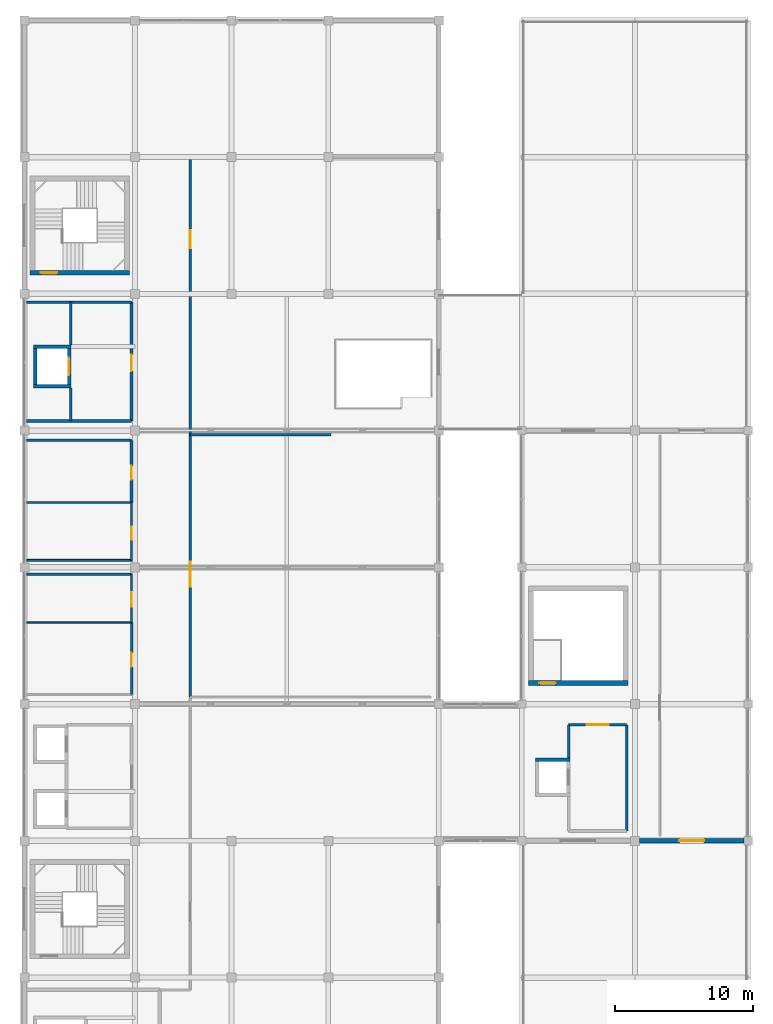
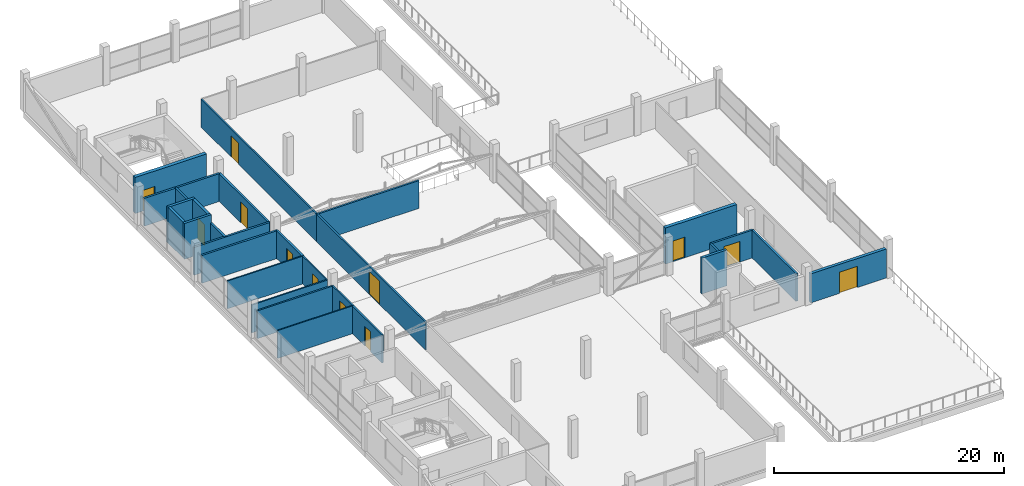
# One storey, part 46 of 53: 28 walls, 12 doors, 12 openings.
"""IFC4 building model written with IfcOpenShell, lengths in metres."""

from ifc_helpers import new_model, si_unit, direction, frame, frame_2d, origin, place, context, subcontext, project, spatial, rectangle, extrude, material, layer, layer_set, type_object, element, fill, save


model = new_model("IFC4")

# Units and contexts
model_context = context("Model", 3, precision=1e-05, world=origin(), true_north=direction((0.0, 1.0)))
body_context = subcontext(model_context, "Body", "Model", "MODEL_VIEW")
ifc_project = project(units=[si_unit("LENGTHUNIT", "METRE"), si_unit("AREAUNIT", "SQUARE_METRE"), si_unit("VOLUMEUNIT", "CUBIC_METRE"), si_unit("PLANEANGLEUNIT", "RADIAN"), si_unit("MASSUNIT", "GRAM", prefix="KILO")], contexts=[model_context])

# Site, building, storey
site_placement = place(None, origin())
site = spatial("IfcSite", under=ifc_project, at=site_placement, CompositionType="ELEMENT")
building_placement = place(site_placement, origin())
building = spatial("IfcBuilding", under=site, at=building_placement, Name="Sillaruma Civic Art Gallery", CompositionType="ELEMENT")
storey_placement = place(building_placement, frame((0.0, 0.0, 70.3798828125)))
storey = spatial("IfcBuildingStorey", under=building, at=storey_placement, Name="L14", CompositionType="ELEMENT", Elevation=70.3798828125)

# Wall, opening, door
ifc_material_1 = material(Name="Concrete H40 (40 MPa)", Category="concrete")
ifc_layer_1 = layer(ifc_material_1, 0.35009765625, Name="Concrete H40 (40 MPa)")
ifc_layer_set_1 = layer_set([ifc_layer_1], Name="Concrete H40 (40 MPa)")
wall_type_1 = type_object("IfcWallType", Name="WAL-CORE-350", PredefinedType="SHEAR", material=ifc_layer_set_1)
wall_1_placement = place(storey_placement, frame((62.409912109375, 80.735107421875, 0.0), z_axis=(0.0, 0.0, 1.0), x_axis=(1.0, 0.0, 0.0)))
wall_1 = element("IfcWall", 1, at=wall_1_placement, inside=storey, type_object=wall_type_1, Name="Stair Core Shear Wall W-CORE-350 (ST-02:L14:S)", PredefinedType="SHEAR", context=body_context, shape_type="SweptSolid", body=[
    extrude(rectangle(XDim=7.18017578125, YDim=0.35009765625, at=frame_2d((3.590087890625, 0.0))), origin(), (0.0, 0.0, 1.0), 3.830078125),
])
opening_1_placement = place(wall_1_placement, frame((0.77001953125, 0.0, 0.0)))
opening_1 = element("IfcOpeningElement", 2, at=opening_1_placement, cuts=wall_1, Name="Opening D-STAIR", PredefinedType="OPENING", context=body_context, shape_type="SweptSolid", body=[
    extrude(rectangle(XDim=1.199951171875, YDim=2.199951171875, at=frame_2d((0.60009765625, 1.10009765625))), frame((0.0, 0.18505859375, 0.0), z_axis=(0.0, -1.0, 0.0), x_axis=(1.0, 0.0, 0.0)), (0.0, 0.0, 1.0), 0.3701171875),
])
ifc_material_2 = material(Name="Galvanised Steel ASTM A653 Gr.50", Category="steel")
door_type_1 = type_object("IfcDoorType", Name="DOR-STAIR-120", OperationType="NOTDEFINED", PredefinedType="DOOR", material=ifc_material_2)
door_1_placement = place(opening_1_placement, origin())
door_1 = element("IfcDoor", 3, at=door_1_placement, inside=storey, type_object=door_type_1, Name="Protected Stair Fire Door (ST-02:L14)", OperationType="SINGLE_SWING_RIGHT", OverallHeight=2.199951171875, OverallWidth=1.199951171875, PredefinedType="DOOR", context=body_context, shape_type="SweptSolid", body=[
    extrude(rectangle(XDim=1.199951171875, YDim=2.199951171875, at=frame_2d((0.60009765625, 1.10009765625))), frame((0.0, 0.02490234375, 0.0), z_axis=(0.0, -1.0, 0.0), x_axis=(1.0, 0.0, 0.0)), (0.0, 0.0, 1.0), 0.050048828125),
])
fill(opening_1, door_1)

wall_2_placement = place(storey_placement, frame((98.510009765625, 51.034912109375, 0.0), z_axis=(0.0, 0.0, 1.0), x_axis=(1.0, 0.0, 0.0)))
wall_2 = element("IfcWall", 4, at=wall_2_placement, inside=storey, type_object=wall_type_1, Name="Stair Core Shear Wall W-CORE-350 (ST-04:L14:S)", PredefinedType="SHEAR", context=body_context, shape_type="SweptSolid", body=[
    extrude(rectangle(XDim=7.179931640625, YDim=0.35009765625, at=frame_2d((3.58984375, 0.0))), origin(), (0.0, 0.0, 1.0), 3.830078125),
])
opening_2_placement = place(wall_2_placement, frame((0.77001953125, 0.0, 0.0)))
opening_2 = element("IfcOpeningElement", 5, at=opening_2_placement, cuts=wall_2, Name="Opening D-STAIR", PredefinedType="OPENING", context=body_context, shape_type="SweptSolid", body=[
    extrude(rectangle(XDim=1.199951171875, YDim=2.199951171875, at=frame_2d((0.60009765625, 1.10009765625))), frame((0.0, 0.18505859375, 0.0), z_axis=(0.0, -1.0, 0.0), x_axis=(1.0, 0.0, 0.0)), (0.0, 0.0, 1.0), 0.3701171875),
])
door_2_placement = place(opening_2_placement, origin())
door_2 = element("IfcDoor", 6, at=door_2_placement, inside=storey, type_object=door_type_1, Name="Protected Stair Fire Door (ST-04:L14)", OperationType="SINGLE_SWING_RIGHT", OverallHeight=2.199951171875, OverallWidth=1.199951171875, PredefinedType="DOOR", context=body_context, shape_type="SweptSolid", body=[
    extrude(rectangle(XDim=1.199951171875, YDim=2.199951171875, at=frame_2d((0.60009765625, 1.10009765625))), frame((0.0, 0.02490234375, 0.0), z_axis=(0.0, -1.0, 0.0), x_axis=(1.0, 0.0, 0.0)), (0.0, 0.0, 1.0), 0.050048828125),
])
fill(opening_2, door_2)

ifc_material_3 = material(Name="Precast Concrete H35 (35 MPa)", Category="concrete")
ifc_layer_2 = layer(ifc_material_3, 0.179931640625, Name="Precast backup", Category="concrete")
ifc_material_4 = material(Name="Mineral Wool Thermal Insulation", Category="insulation")
ifc_layer_3 = layer(ifc_material_4, 0.090087890625, Name="Thermal insulation", Category="insulation")
ifc_material_5 = material(Name="Comanche Granitic Ashlar Stone", Category="masonry")
ifc_layer_4 = layer(ifc_material_5, 0.030029296875, Name="Rainscreen cladding", Category="masonry")
ifc_layer_set_2 = layer_set([ifc_layer_2, ifc_layer_3, ifc_layer_4], Name="W-EXT-300")
wall_type_2 = type_object("IfcWallType", Name="WAL-EXT-300", PredefinedType="SOLIDWALL", material=ifc_layer_set_2)
wall_3_placement = place(storey_placement, frame((106.52490234375, 39.60009765625, 0.0), z_axis=(0.0, 0.0, 1.0), x_axis=(1.0, 0.0, 0.0)))
wall_3 = element("IfcWall", 7, at=wall_3_placement, inside=storey, type_object=wall_type_2, Name="Exterior Wall W-EXT-300 (EW-L14-EHH-S2)", PredefinedType="SOLIDWALL", context=body_context, shape_type="SweptSolid", body=[
    extrude(rectangle(XDim=7.5751953125, YDim=0.300048828125, at=frame_2d((3.78759765625, 0.0))), origin(), (0.0, 0.0, 1.0), 3.080078125),
])
opening_3_placement = place(wall_3_placement, frame((2.887939453125, 0.0, 0.0)))
opening_3 = element("IfcOpeningElement", 8, at=opening_3_placement, cuts=wall_3, Name="Opening D-TER1", PredefinedType="OPENING", context=body_context, shape_type="SweptSolid", body=[
    extrude(rectangle(XDim=1.800048828125, YDim=2.25, at=frame_2d((0.89990234375, 1.125))), frame((0.0, 0.159912109375, 0.0), z_axis=(0.0, -1.0, 0.0), x_axis=(1.0, 0.0, 0.0)), (0.0, 0.0, 1.0), 0.320068359375),
])
ifc_material_6 = material(Name="Thermally Broken Extruded Aluminium 6063-T6", Category="aluminium")
door_type_2 = type_object("IfcDoorType", Name="DOR-TER-180", OperationType="NOTDEFINED", PredefinedType="DOOR", material=ifc_material_6)
door_3_placement = place(opening_3_placement, frame((1.800048828125, 0.0, 0.0), z_axis=(0.0, 0.0, 1.0), x_axis=(-1.0, 0.0, 0.0)))
door_3 = element("IfcDoor", 9, at=door_3_placement, inside=storey, type_object=door_type_2, Name="L14 East Bar South Sculpture Terrace Door", OperationType="DOUBLE_DOOR_SINGLE_SWING", OverallHeight=2.25, OverallWidth=1.800048828125, PredefinedType="DOOR", context=body_context, shape_type="SweptSolid", body=[
    extrude(rectangle(XDim=1.800048828125, YDim=2.25, at=frame_2d((0.89990234375, 1.125))), frame((0.0, 0.02490234375, 0.0), z_axis=(0.0, -1.0, 0.0), x_axis=(1.0, 0.0, 0.0)), (0.0, 0.0, 1.0), 0.050048828125),
])
fill(opening_3, door_3)

# Walls
ifc_material_7 = material(Name="Concrete Masonry Unit Grade M15", Category="masonry")
ifc_layer_5 = layer(ifc_material_7, 0.199951171875, Name="Concrete Masonry Unit Grade M15")
ifc_layer_set_3 = layer_set([ifc_layer_5], Name="Concrete Masonry Unit Grade M15")
wall_type_3 = type_object("IfcWallType", Name="WAL-LOBBY-200", PredefinedType="SOLIDWALL", material=ifc_layer_set_3)
for number, where, z_axis, x_axis, name in (
    (10, (62.14990234375, 70.0, 0.0), (0.0, 0.0, 1.0), (1.0, 0.0, 0.0), "Interior Wall W-LOBBY-200 (L14-FFL)"),
    (11, (62.14990234375, 78.60009765625, 0.0), (0.0, 0.0, 1.0), (1.0, 0.0, 0.0), "Interior Wall W-LOBBY-200 (L14-FFL)"),
):
    element("IfcWall", number, at=place(storey_placement, frame(where, z_axis=z_axis, x_axis=x_axis)), inside=storey, type_object=wall_type_3, Name=name, PredefinedType="SOLIDWALL", context=body_context, shape_type="SweptSolid", body=[
        extrude(rectangle(XDim=7.60009765625, YDim=0.199951171875, at=frame_2d((3.800048828125, 0.0))), origin(), (0.0, 0.0, 1.0), 2.9501953125),
    ])
wall_4_placement = place(storey_placement, frame((65.35009765625, 70.0, 0.0), z_axis=(0.0, 0.0, 1.0), x_axis=(0.0, 1.0, 0.0)))
element("IfcWall", 12, at=wall_4_placement, inside=storey, type_object=wall_type_3, Name="Interior Wall W-LOBBY-200 (L14-FFL)", PredefinedType="SOLIDWALL", context=body_context, shape_type="SweptSolid", body=[
    extrude(rectangle(XDim=2.39990234375, YDim=0.199951171875, at=frame_2d((1.199951171875, 0.0))), origin(), (0.0, 0.0, 1.0), 2.9501953125),
])
wall_5_placement = place(storey_placement, frame((65.35009765625, 75.5, 0.0), z_axis=(0.0, 0.0, 1.0), x_axis=(0.0, 1.0, 0.0)))
element("IfcWall", 13, at=wall_5_placement, inside=storey, type_object=wall_type_3, Name="Interior Wall W-LOBBY-200 (L14-FFL)", PredefinedType="SOLIDWALL", context=body_context, shape_type="SweptSolid", body=[
    extrude(rectangle(XDim=3.10009765625, YDim=0.199951171875, at=frame_2d((1.550048828125, 0.0))), origin(), (0.0, 0.0, 1.0), 2.9501953125),
])

# Wall, opening, door
wall_6_placement = place(storey_placement, frame((69.75, 70.0, 0.0), z_axis=(0.0, 0.0, 1.0), x_axis=(0.0, 1.0, 0.0)))
wall_6 = element("IfcWall", 14, at=wall_6_placement, inside=storey, type_object=wall_type_3, Name="Interior Wall W-LOBBY-200 (L14-FFL)", PredefinedType="SOLIDWALL", context=body_context, shape_type="SweptSolid", body=[
    extrude(rectangle(XDim=8.60009765625, YDim=0.199951171875, at=frame_2d((4.300048828125, 0.0))), origin(), (0.0, 0.0, 1.0), 2.9501953125),
])
opening_4_placement = place(wall_6_placement, frame((3.60009765625, 0.0, 0.0)))
opening_4 = element("IfcOpeningElement", 15, at=opening_4_placement, cuts=wall_6, Name="Opening D-FFL", PredefinedType="OPENING", context=body_context, shape_type="SweptSolid", body=[
    extrude(rectangle(XDim=1.199951171875, YDim=2.25, at=frame_2d((0.60009765625, 1.125))), frame((0.0, 0.10986328125, 0.0), z_axis=(0.0, -1.0, 0.0), x_axis=(1.0, 0.0, 0.0)), (0.0, 0.0, 1.0), 0.219970703125),
])
door_type_3 = type_object("IfcDoorType", Name="DOR-FFL-120", OperationType="NOTDEFINED", PredefinedType="DOOR", material=ifc_material_2)
door_4_placement = place(opening_4_placement, origin())
door_4 = element("IfcDoor", 16, at=door_4_placement, inside=storey, type_object=door_type_3, Name="Firefighting Lobby Door (D-FFL)", OperationType="SINGLE_SWING_RIGHT", OverallHeight=2.25, OverallWidth=1.199951171875, PredefinedType="DOOR", context=body_context, shape_type="SweptSolid", body=[
    extrude(rectangle(XDim=1.199951171875, YDim=2.25, at=frame_2d((0.60009765625, 1.125))), frame((0.0, 0.02490234375, 0.0), z_axis=(0.0, -1.0, 0.0), x_axis=(1.0, 0.0, 0.0)), (0.0, 0.0, 1.0), 0.050048828125),
])
fill(opening_4, door_4)

# Wall
wall_7_placement = place(storey_placement, frame((62.14990234375, 68.60009765625, 0.0), z_axis=(0.0, 0.0, 1.0), x_axis=(1.0, 0.0, 0.0)))
element("IfcWall", 17, at=wall_7_placement, inside=storey, type_object=wall_type_3, Name="Interior Wall W-LOBBY-200 (L14-RSR)", PredefinedType="SOLIDWALL", context=body_context, shape_type="SweptSolid", body=[
    extrude(rectangle(XDim=7.60009765625, YDim=0.199951171875, at=frame_2d((3.800048828125, 0.0))), origin(), (0.0, 0.0, 1.0), 2.9501953125),
])

# Wall, opening, door
wall_8_placement = place(storey_placement, frame((69.75, 64.10009765625, 0.0), z_axis=(0.0, 0.0, 1.0), x_axis=(0.0, 1.0, 0.0)))
wall_8 = element("IfcWall", 18, at=wall_8_placement, inside=storey, type_object=wall_type_3, Name="Interior Wall W-LOBBY-200 (L14-RSR)", PredefinedType="SOLIDWALL", context=body_context, shape_type="SweptSolid", body=[
    extrude(rectangle(XDim=4.5, YDim=0.199951171875, at=frame_2d((2.25, 0.0))), origin(), (0.0, 0.0, 1.0), 2.9501953125),
])
opening_5_placement = place(wall_8_placement, frame((1.64990234375, 0.0, 0.0)))
opening_5 = element("IfcOpeningElement", 19, at=opening_5_placement, cuts=wall_8, Name="Opening D-RISER", PredefinedType="OPENING", context=body_context, shape_type="SweptSolid", body=[
    extrude(rectangle(XDim=1.0, YDim=2.14990234375, at=frame_2d((0.5, 1.074951171875))), frame((0.0, 0.10986328125, 0.0), z_axis=(0.0, -1.0, 0.0), x_axis=(1.0, 0.0, 0.0)), (0.0, 0.0, 1.0), 0.219970703125),
])
door_type_4 = type_object("IfcDoorType", Name="DOR-RISER-100", OperationType="NOTDEFINED", PredefinedType="DOOR", material=ifc_material_2)
door_5_placement = place(opening_5_placement, origin())
door_5 = element("IfcDoor", 20, at=door_5_placement, inside=storey, type_object=door_type_4, Name="MEP Service Riser Door (D-RISER)", OperationType="SINGLE_SWING_RIGHT", OverallHeight=2.14990234375, OverallWidth=1.0, PredefinedType="DOOR", context=body_context, shape_type="SweptSolid", body=[
    extrude(rectangle(XDim=1.0, YDim=2.14990234375, at=frame_2d((0.5, 1.074951171875))), frame((0.0, 0.02490234375, 0.0), z_axis=(0.0, -1.0, 0.0), x_axis=(1.0, 0.0, 0.0)), (0.0, 0.0, 1.0), 0.050048828125),
])
fill(opening_5, door_5)

# Walls
wall_9_placement = place(storey_placement, frame((101.39990234375, 45.60009765625, 0.0), z_axis=(0.0, 0.0, 1.0), x_axis=(0.0, 1.0, 0.0)))
element("IfcWall", 21, at=wall_9_placement, inside=storey, type_object=wall_type_3, Name="Interior Wall W-LOBBY-200 (L14-LLE)", PredefinedType="SOLIDWALL", context=body_context, shape_type="SweptSolid", body=[
    extrude(rectangle(XDim=2.39990234375, YDim=0.199951171875, at=frame_2d((1.199951171875, 0.0))), origin(), (0.0, 0.0, 1.0), 2.9501953125),
])
wall_10_placement = place(storey_placement, frame((105.60009765625, 40.300048828125, 0.0), z_axis=(0.0, 0.0, 1.0), x_axis=(0.0, 1.0, 0.0)))
element("IfcWall", 22, at=wall_10_placement, inside=storey, type_object=wall_type_3, Name="Interior Wall W-LOBBY-200 (L14-LLE)", PredefinedType="SOLIDWALL", context=body_context, shape_type="SweptSolid", body=[
    extrude(rectangle(XDim=7.699951171875, YDim=0.199951171875, at=frame_2d((3.85009765625, 0.0))), origin(), (0.0, 0.0, 1.0), 2.9501953125),
])

# Wall, opening, door
wall_11_placement = place(storey_placement, frame((101.39990234375, 48.0, 0.0), z_axis=(0.0, 0.0, 1.0), x_axis=(1.0, 0.0, 0.0)))
wall_11 = element("IfcWall", 23, at=wall_11_placement, inside=storey, type_object=wall_type_3, Name="Interior Wall W-LOBBY-200 (L14-LLE)", PredefinedType="SOLIDWALL", context=body_context, shape_type="SweptSolid", body=[
    extrude(rectangle(XDim=4.2001953125, YDim=0.199951171875, at=frame_2d((2.10009765625, 0.0))), origin(), (0.0, 0.0, 1.0), 2.9501953125),
])
opening_6_placement = place(wall_11_placement, frame((1.300048828125, 0.0, 0.0)))
opening_6 = element("IfcOpeningElement", 24, at=opening_6_placement, cuts=wall_11, Name="Opening D-LOBBY", PredefinedType="OPENING", context=body_context, shape_type="SweptSolid", body=[
    extrude(rectangle(XDim=1.60009765625, YDim=2.199951171875, at=frame_2d((0.800048828125, 1.10009765625))), frame((0.0, 0.10986328125, 0.0), z_axis=(0.0, -1.0, 0.0), x_axis=(1.0, 0.0, 0.0)), (0.0, 0.0, 1.0), 0.219970703125),
])
door_type_5 = type_object("IfcDoorType", Name="DOR-LOBBY-160", OperationType="NOTDEFINED", PredefinedType="DOOR", material=ifc_material_6)
door_6_placement = place(opening_6_placement, origin())
door_6 = element("IfcDoor", 25, at=door_6_placement, inside=storey, type_object=door_type_5, Name="East Lift Lobby Door (D-LOBBY)", OperationType="DOUBLE_DOOR_SINGLE_SWING", OverallHeight=2.199951171875, OverallWidth=1.60009765625, PredefinedType="DOOR", context=body_context, shape_type="SweptSolid", body=[
    extrude(rectangle(XDim=1.60009765625, YDim=2.199951171875, at=frame_2d((0.800048828125, 1.10009765625))), frame((0.0, 0.02490234375, 0.0), z_axis=(0.0, -1.0, 0.0), x_axis=(1.0, 0.0, 0.0)), (0.0, 0.0, 1.0), 0.050048828125),
])
fill(opening_6, door_6)

# Wall
ifc_material_8 = material(Name="Gypsum Acoustic Board", Category="gypsum")
ifc_layer_6 = layer(ifc_material_8, 0.02490234375, Name="Finish board", Category="gypsum")
ifc_layer_7 = layer(ifc_material_4, 0.06005859375, Name="Acoustic core", Category="insulation")
ifc_material_9 = material(Name="Andean Oak Timber", Category="wood")
ifc_layer_8 = layer(ifc_material_9, 0.02490234375, Name="Gallery lining", Category="wood")
ifc_layer_set_4 = layer_set([ifc_layer_6, ifc_layer_7, ifc_layer_8], Name="W-PT-110")
wall_type_4 = type_object("IfcWallType", Name="WAL-PART-110", PredefinedType="PARTITIONING", material=ifc_layer_set_4)
wall_12_placement = place(storey_placement, frame((62.14990234375, 55.39990234375, 0.0), z_axis=(0.0, 0.0, 1.0), x_axis=(1.0, 0.0, 0.0)))
element("IfcWall", 26, at=wall_12_placement, inside=storey, type_object=wall_type_4, Name="Interior Wall W-PT-110 (L14-WC1)", PredefinedType="PARTITIONING", context=body_context, shape_type="SweptSolid", body=[
    extrude(rectangle(XDim=7.60009765625, YDim=0.110107421875, at=frame_2d((3.800048828125, 0.0))), origin(), (0.0, 0.0, 1.0), 2.9501953125),
])

# Wall, opening, door
ifc_layer_9 = layer(ifc_material_8, 0.02490234375, Name="Finish board", Category="gypsum")
ifc_layer_10 = layer(ifc_material_4, 0.070068359375, Name="Acoustic core", Category="insulation")
ifc_layer_11 = layer(ifc_material_9, 0.02490234375, Name="Gallery lining", Category="wood")
ifc_layer_set_5 = layer_set([ifc_layer_9, ifc_layer_10, ifc_layer_11], Name="W-PT-120")
wall_type_5 = type_object("IfcWallType", Name="WAL-PART-120", PredefinedType="PARTITIONING", material=ifc_layer_set_5)
wall_13_placement = place(storey_placement, frame((69.75, 59.89990234375, 0.0), z_axis=(0.0, 0.0, 1.0), x_axis=(0.0, 1.0, 0.0)))
wall_13 = element("IfcWall", 27, at=wall_13_placement, inside=storey, type_object=wall_type_5, Name="Interior Wall W-PT-120 (L14-CLN)", PredefinedType="PARTITIONING", context=body_context, shape_type="SweptSolid", body=[
    extrude(rectangle(XDim=4.2001953125, YDim=0.1201171875, at=frame_2d((2.10009765625, 0.0))), origin(), (0.0, 0.0, 1.0), 2.9501953125),
])
opening_7_placement = place(wall_13_placement, frame((1.5, 0.0, 0.0)))
opening_7 = element("IfcOpeningElement", 28, at=opening_7_placement, cuts=wall_13, Name="Opening D-SVC09", PredefinedType="OPENING", context=body_context, shape_type="SweptSolid", body=[
    extrude(rectangle(XDim=0.949951171875, YDim=2.10009765625, at=frame_2d((0.47509765625, 1.050048828125))), frame((0.0, 0.070068359375, 0.0), z_axis=(0.0, -1.0, 0.0), x_axis=(1.0, 0.0, 0.0)), (0.0, 0.0, 1.0), 0.14013671875),
])
door_type_6 = type_object("IfcDoorType", Name="DOR-SVC-095", OperationType="NOTDEFINED", PredefinedType="DOOR", material=ifc_material_9)
door_7_placement = place(opening_7_placement, origin())
door_7 = element("IfcDoor", 29, at=door_7_placement, inside=storey, type_object=door_type_6, Name="Cleaner Store Door (D-SVC09)", OperationType="SINGLE_SWING_LEFT", OverallHeight=2.10009765625, OverallWidth=0.949951171875, PredefinedType="DOOR", context=body_context, shape_type="SweptSolid", body=[
    extrude(rectangle(XDim=0.949951171875, YDim=2.10009765625, at=frame_2d((0.47509765625, 1.050048828125))), frame((0.0, 0.02490234375, 0.0), z_axis=(0.0, -1.0, 0.0), x_axis=(1.0, 0.0, 0.0)), (0.0, 0.0, 1.0), 0.050048828125),
])
fill(opening_7, door_7)

# Walls
ifc_layer_12 = layer(ifc_material_8, 0.02490234375, Name="Finish board", Category="gypsum")
ifc_layer_13 = layer(ifc_material_4, 0.080078125, Name="Acoustic core", Category="insulation")
ifc_layer_14 = layer(ifc_material_9, 0.02490234375, Name="Gallery lining", Category="wood")
ifc_layer_set_6 = layer_set([ifc_layer_12, ifc_layer_13, ifc_layer_14], Name="W-PT-130")
wall_type_6 = type_object("IfcWallType", Name="WAL-PART-130", PredefinedType="PARTITIONING", material=ifc_layer_set_6)
wall_14_placement = place(storey_placement, frame((62.14990234375, 64.10009765625, 0.0), z_axis=(0.0, 0.0, 1.0), x_axis=(1.0, 0.0, 0.0)))
element("IfcWall", 30, at=wall_14_placement, inside=storey, type_object=wall_type_6, Name="Interior Wall W-PT-130 (L14-CLN)", PredefinedType="PARTITIONING", context=body_context, shape_type="SweptSolid", body=[
    extrude(rectangle(XDim=7.60009765625, YDim=0.1298828125, at=frame_2d((3.800048828125, 0.0))), origin(), (0.0, 0.0, 1.0), 2.9501953125),
])
ifc_layer_15 = layer(ifc_material_8, 0.02490234375, Name="Finish board", Category="gypsum")
ifc_layer_16 = layer(ifc_material_4, 0.090087890625, Name="Acoustic core", Category="insulation")
ifc_layer_17 = layer(ifc_material_9, 0.02490234375, Name="Gallery lining", Category="wood")
ifc_layer_set_7 = layer_set([ifc_layer_15, ifc_layer_16, ifc_layer_17], Name="W-PT-140")
wall_type_7 = type_object("IfcWallType", Name="WAL-PART-140", PredefinedType="PARTITIONING", material=ifc_layer_set_7)
wall_15_placement = place(storey_placement, frame((62.14990234375, 59.89990234375, 0.0), z_axis=(0.0, 0.0, 1.0), x_axis=(1.0, 0.0, 0.0)))
element("IfcWall", 31, at=wall_15_placement, inside=storey, type_object=wall_type_7, Name="Interior Wall W-PT-140 (L14-CLN)", PredefinedType="PARTITIONING", context=body_context, shape_type="SweptSolid", body=[
    extrude(rectangle(XDim=7.60009765625, YDim=0.139892578125, at=frame_2d((3.800048828125, 0.0))), origin(), (0.0, 0.0, 1.0), 2.9501953125),
])

# Wall, opening, door
ifc_layer_18 = layer(ifc_material_8, 0.02490234375, Name="Finish board", Category="gypsum")
ifc_layer_19 = layer(ifc_material_4, 0.10009765625, Name="Acoustic core", Category="insulation")
ifc_layer_20 = layer(ifc_material_9, 0.02490234375, Name="Gallery lining", Category="wood")
ifc_layer_set_8 = layer_set([ifc_layer_18, ifc_layer_19, ifc_layer_20], Name="W-PT-150")
wall_type_8 = type_object("IfcWallType", Name="WAL-PART-150", PredefinedType="PARTITIONING", material=ifc_layer_set_8)
wall_16_placement = place(storey_placement, frame((69.75, 55.39990234375, 0.0), z_axis=(0.0, 0.0, 1.0), x_axis=(0.0, 1.0, 0.0)))
wall_16 = element("IfcWall", 32, at=wall_16_placement, inside=storey, type_object=wall_type_8, Name="Interior Wall W-PT-150 (L14-WCA)", PredefinedType="PARTITIONING", context=body_context, shape_type="SweptSolid", body=[
    extrude(rectangle(XDim=3.5, YDim=0.14990234375, at=frame_2d((1.75, 0.0))), origin(), (0.0, 0.0, 1.0), 2.9501953125),
])
opening_8_placement = place(wall_16_placement, frame((1.14990234375, 0.0, 0.0)))
opening_8 = element("IfcOpeningElement", 33, at=opening_8_placement, cuts=wall_16, Name="Opening D-AWC10", PredefinedType="OPENING", context=body_context, shape_type="SweptSolid", body=[
    extrude(rectangle(XDim=1.050048828125, YDim=2.14990234375, at=frame_2d((0.52490234375, 1.074951171875))), frame((0.0, 0.0849609375, 0.0), z_axis=(0.0, -1.0, 0.0), x_axis=(1.0, 0.0, 0.0)), (0.0, 0.0, 1.0), 0.169921875),
])
door_type_7 = type_object("IfcDoorType", Name="DOR-AWC-105", OperationType="NOTDEFINED", PredefinedType="DOOR", material=ifc_material_9)
door_8_placement = place(opening_8_placement, origin())
door_8 = element("IfcDoor", 34, at=door_8_placement, inside=storey, type_object=door_type_7, Name="Accessible WC Door (D-AWC10)", OperationType="SINGLE_SWING_RIGHT", OverallHeight=2.14990234375, OverallWidth=1.050048828125, PredefinedType="DOOR", context=body_context, shape_type="SweptSolid", body=[
    extrude(rectangle(XDim=1.050048828125, YDim=2.14990234375, at=frame_2d((0.52490234375, 1.074951171875))), frame((0.0, 0.02490234375, 0.0), z_axis=(0.0, -1.0, 0.0), x_axis=(1.0, 0.0, 0.0)), (0.0, 0.0, 1.0), 0.050048828125),
])
fill(opening_8, door_8)

wall_17_placement = place(storey_placement, frame((74.0, 69.0, 0.0), z_axis=(0.0, 0.0, 1.0), x_axis=(0.0, 1.0, 0.0)))
wall_17 = element("IfcWall", 35, at=wall_17_placement, inside=storey, type_object=wall_type_8, Name="Interior Wall W-PT-150 (L14-STD14A)", PredefinedType="PARTITIONING", context=body_context, shape_type="SweptSolid", body=[
    extrude(rectangle(XDim=20.10009765625, YDim=0.14990234375, at=frame_2d((10.050048828125, 0.0))), origin(), (0.0, 0.0, 1.0), 2.9501953125),
])
opening_9_placement = place(wall_17_placement, frame((13.5, 0.0, 0.0)))
opening_9 = element("IfcOpeningElement", 36, at=opening_9_placement, cuts=wall_17, Name="Opening D-STD13", PredefinedType="OPENING", context=body_context, shape_type="SweptSolid", body=[
    extrude(rectangle(XDim=1.300048828125, YDim=2.25, at=frame_2d((0.64990234375, 1.125))), frame((0.0, 0.0849609375, 0.0), z_axis=(0.0, -1.0, 0.0), x_axis=(1.0, 0.0, 0.0)), (0.0, 0.0, 1.0), 0.169921875),
])
door_type_8 = type_object("IfcDoorType", Name="DOR-STD-130", OperationType="NOTDEFINED", PredefinedType="DOOR", material=ifc_material_9)
door_9_placement = place(opening_9_placement, origin())
door_9 = element("IfcDoor", 37, at=door_9_placement, inside=storey, type_object=door_type_8, Name="Senior Fellowship Artist Studio North Door (D-STD13)", OperationType="SINGLE_SWING_LEFT", OverallHeight=2.25, OverallWidth=1.300048828125, PredefinedType="DOOR", context=body_context, shape_type="SweptSolid", body=[
    extrude(rectangle(XDim=1.300048828125, YDim=2.25, at=frame_2d((0.64990234375, 1.125))), frame((0.0, 0.02490234375, 0.0), z_axis=(0.0, -1.0, 0.0), x_axis=(1.0, 0.0, 0.0)), (0.0, 0.0, 1.0), 0.050048828125),
])
fill(opening_9, door_9)

# Wall
ifc_layer_21 = layer(ifc_material_8, 0.02490234375, Name="Finish board", Category="gypsum")
ifc_layer_22 = layer(ifc_material_4, 0.114990234375, Name="Acoustic core", Category="insulation")
ifc_layer_23 = layer(ifc_material_9, 0.02490234375, Name="Gallery lining", Category="wood")
ifc_layer_set_9 = layer_set([ifc_layer_21, ifc_layer_22, ifc_layer_23], Name="W-PT-165")
wall_type_9 = type_object("IfcWallType", Name="WAL-PART-165", PredefinedType="PARTITIONING", material=ifc_layer_set_9)
wall_18_placement = place(storey_placement, frame((62.14990234375, 58.89990234375, 0.0), z_axis=(0.0, 0.0, 1.0), x_axis=(1.0, 0.0, 0.0)))
element("IfcWall", 38, at=wall_18_placement, inside=storey, type_object=wall_type_9, Name="Interior Wall W-PT-165 (L14-WCA)", PredefinedType="PARTITIONING", context=body_context, shape_type="SweptSolid", body=[
    extrude(rectangle(XDim=7.60009765625, YDim=0.1650390625, at=frame_2d((3.800048828125, 0.0))), origin(), (0.0, 0.0, 1.0), 2.9501953125),
])

# Wall, opening, door
wall_19_placement = place(storey_placement, frame((74.0, 50.0, 0.0), z_axis=(0.0, 0.0, 1.0), x_axis=(0.0, 1.0, 0.0)))
wall_19 = element("IfcWall", 39, at=wall_19_placement, inside=storey, type_object=wall_type_9, Name="Interior Wall W-PT-165 (L14-GAL14A)", PredefinedType="PARTITIONING", context=body_context, shape_type="SweptSolid", body=[
    extrude(rectangle(XDim=19.0, YDim=0.1650390625, at=frame_2d((9.5, 0.0))), origin(), (0.0, 0.0, 1.0), 2.9501953125),
])
opening_10_placement = place(wall_19_placement, frame((8.0, 0.0, 0.0)))
opening_10 = element("IfcOpeningElement", 40, at=opening_10_placement, cuts=wall_19, Name="Opening D-GAL18", PredefinedType="OPENING", context=body_context, shape_type="SweptSolid", body=[
    extrude(rectangle(XDim=1.800048828125, YDim=2.449951171875, at=frame_2d((0.89990234375, 1.22509765625))), frame((0.0, 0.092529296875, 0.0), z_axis=(0.0, -1.0, 0.0), x_axis=(1.0, 0.0, 0.0)), (0.0, 0.0, 1.0), 0.18505859375),
])
door_type_9 = type_object("IfcDoorType", Name="DOR-GAL-180", OperationType="NOTDEFINED", PredefinedType="DOOR", material=ifc_material_9)
door_10_placement = place(opening_10_placement, origin())
door_10 = element("IfcDoor", 41, at=door_10_placement, inside=storey, type_object=door_type_9, Name="West Crown Skylight Gallery Door (D-GAL18)", OperationType="DOUBLE_DOOR_SINGLE_SWING", OverallHeight=2.449951171875, OverallWidth=1.800048828125, PredefinedType="DOOR", context=body_context, shape_type="SweptSolid", body=[
    extrude(rectangle(XDim=1.800048828125, YDim=2.449951171875, at=frame_2d((0.89990234375, 1.22509765625))), frame((0.0, 0.02490234375, 0.0), z_axis=(0.0, -1.0, 0.0), x_axis=(1.0, 0.0, 0.0)), (0.0, 0.0, 1.0), 0.050048828125),
])
fill(opening_10, door_10)

ifc_layer_24 = layer(ifc_material_8, 0.02490234375, Name="Finish board", Category="gypsum")
ifc_layer_25 = layer(ifc_material_4, 0.1298828125, Name="Acoustic core", Category="insulation")
ifc_layer_26 = layer(ifc_material_9, 0.02490234375, Name="Gallery lining", Category="wood")
ifc_layer_set_10 = layer_set([ifc_layer_24, ifc_layer_25, ifc_layer_26], Name="W-PT-180")
wall_type_10 = type_object("IfcWallType", Name="WAL-PART-180", PredefinedType="PARTITIONING", material=ifc_layer_set_10)
wall_20_placement = place(storey_placement, frame((69.75, 50.199951171875, 0.0), z_axis=(0.0, 0.0, 1.0), x_axis=(0.0, 1.0, 0.0)))
wall_20 = element("IfcWall", 42, at=wall_20_placement, inside=storey, type_object=wall_type_10, Name="Interior Wall W-PT-180 (L14-WC1)", PredefinedType="PARTITIONING", context=body_context, shape_type="SweptSolid", body=[
    extrude(rectangle(XDim=5.199951171875, YDim=0.179931640625, at=frame_2d((2.60009765625, 0.0))), origin(), (0.0, 0.0, 1.0), 2.9501953125),
])
opening_11_placement = place(wall_20_placement, frame((2.0, 0.0, 0.0)))
opening_11 = element("IfcOpeningElement", 43, at=opening_11_placement, cuts=wall_20, Name="Opening D-WC10", PredefinedType="OPENING", context=body_context, shape_type="SweptSolid", body=[
    extrude(rectangle(XDim=1.0, YDim=2.10009765625, at=frame_2d((0.5, 1.050048828125))), frame((0.0, 0.099853515625, 0.0), z_axis=(0.0, -1.0, 0.0), x_axis=(1.0, 0.0, 0.0)), (0.0, 0.0, 1.0), 0.199951171875),
])
door_type_10 = type_object("IfcDoorType", Name="DOR-WC-100", OperationType="NOTDEFINED", PredefinedType="DOOR", material=ifc_material_9)
door_11_placement = place(opening_11_placement, origin())
door_11 = element("IfcDoor", 44, at=door_11_placement, inside=storey, type_object=door_type_10, Name="Public WC Door (D-WC10)", OperationType="SINGLE_SWING_LEFT", OverallHeight=2.10009765625, OverallWidth=1.0, PredefinedType="DOOR", context=body_context, shape_type="SweptSolid", body=[
    extrude(rectangle(XDim=1.0, YDim=2.10009765625, at=frame_2d((0.5, 1.050048828125))), frame((0.0, 0.02490234375, 0.0), z_axis=(0.0, -1.0, 0.0), x_axis=(1.0, 0.0, 0.0)), (0.0, 0.0, 1.0), 0.050048828125),
])
fill(opening_11, door_11)

# Walls
wall_21_placement = place(storey_placement, frame((74.0, 69.0, 0.0), z_axis=(0.0, 0.0, 1.0), x_axis=(1.0, 0.0, 0.0)))
element("IfcWall", 45, at=wall_21_placement, inside=storey, type_object=wall_type_10, Name="Interior Wall W-PT-180 (L14-GAL14A)", PredefinedType="PARTITIONING", context=body_context, shape_type="SweptSolid", body=[
    extrude(rectangle(XDim=10.199951171875, YDim=0.179931640625, at=frame_2d((5.10009765625, 0.0))), origin(), (0.0, 0.0, 1.0), 2.9501953125),
])
ifc_layer_27 = layer(ifc_material_1, 0.25, Name="Concrete H40 (40 MPa)")
ifc_layer_set_11 = layer_set([ifc_layer_27], Name="Concrete H40 (40 MPa)")
wall_type_11 = type_object("IfcWallType", Name="WAL-SHAFT-250", PredefinedType="SOLIDWALL", material=ifc_layer_set_11)
wall_22_placement = place(storey_placement, frame((99.0, 45.47509765625, 0.0), z_axis=(0.0, 0.0, 1.0), x_axis=(1.0, 0.0, 0.0)))
element("IfcWall", 46, at=wall_22_placement, inside=storey, type_object=wall_type_11, Name="Lift Shaft Wall W-SHAFT-250 (PL-03:L14:N)", PredefinedType="SOLIDWALL", context=body_context, shape_type="SweptSolid", body=[
    extrude(rectangle(XDim=2.5, YDim=0.25, at=frame_2d((1.25, 0.0))), origin(), (0.0, 0.0, 1.0), 3.81005859375),
])
for number, where, z_axis, x_axis, name in (
    (47, (62.64990234375, 72.52490234375, 0.0), (0.0, 0.0, 1.0), (1.0, 0.0, 0.0), "Lift Shaft Wall W-SHAFT-250 (FFL-01:L14:S)"),
    (48, (62.64990234375, 75.375, 0.0), (0.0, 0.0, 1.0), (1.0, 0.0, 0.0), "Lift Shaft Wall W-SHAFT-250 (FFL-01:L14:N)"),
):
    element("IfcWall", number, at=place(storey_placement, frame(where, z_axis=z_axis, x_axis=x_axis)), inside=storey, type_object=wall_type_11, Name=name, PredefinedType="SOLIDWALL", context=body_context, shape_type="SweptSolid", body=[
        extrude(rectangle(XDim=2.7001953125, YDim=0.25, at=frame_2d((1.35009765625, 0.0))), origin(), (0.0, 0.0, 1.0), 3.81005859375),
    ])
wall_23_placement = place(storey_placement, frame((62.77490234375, 72.64990234375, 0.0), z_axis=(0.0, 0.0, 1.0), x_axis=(0.0, 1.0, 0.0)))
element("IfcWall", 49, at=wall_23_placement, inside=storey, type_object=wall_type_11, Name="Lift Shaft Wall W-SHAFT-250 (FFL-01:L14:W)", PredefinedType="SOLIDWALL", context=body_context, shape_type="SweptSolid", body=[
    extrude(rectangle(XDim=2.60009765625, YDim=0.25, at=frame_2d((1.300048828125, 0.0))), origin(), (0.0, 0.0, 1.0), 3.81005859375),
])

# Wall, opening, door
wall_24_placement = place(storey_placement, frame((65.22509765625, 72.64990234375, 0.0), z_axis=(0.0, 0.0, 1.0), x_axis=(0.0, 1.0, 0.0)))
wall_24 = element("IfcWall", 50, at=wall_24_placement, inside=storey, type_object=wall_type_11, Name="Lift Shaft Wall W-SHAFT-250 (FFL-01:L14:E)", PredefinedType="SOLIDWALL", context=body_context, shape_type="SweptSolid", body=[
    extrude(rectangle(XDim=2.60009765625, YDim=0.25, at=frame_2d((1.300048828125, 0.0))), origin(), (0.0, 0.0, 1.0), 3.81005859375),
])
opening_12_placement = place(wall_24_placement, frame((0.675048828125, 0.0, 0.0)))
opening_12 = element("IfcOpeningElement", 51, at=opening_12_placement, cuts=wall_24, Name="Opening LD-02", PredefinedType="OPENING", context=body_context, shape_type="SweptSolid", body=[
    extrude(rectangle(XDim=1.25, YDim=2.199951171875, at=frame_2d((0.625, 1.10009765625))), frame((0.0, 0.135009765625, 0.0), z_axis=(0.0, -1.0, 0.0), x_axis=(1.0, 0.0, 0.0)), (0.0, 0.0, 1.0), 0.27001953125),
])
door_type_11 = type_object("IfcDoorType", Name="DOR-LD-02", OperationType="NOTDEFINED", PredefinedType="DOOR", material=ifc_material_2)
door_12_placement = place(opening_12_placement, origin())
door_12 = element("IfcDoor", 52, at=door_12_placement, inside=storey, type_object=door_type_11, Name="Lift Sliding Landing Door LD-02 (FFL-01:L14)", OperationType="DOUBLE_DOOR_SLIDING", OverallHeight=2.199951171875, OverallWidth=1.25, PredefinedType="DOOR", context=body_context, shape_type="SweptSolid", body=[
    extrude(rectangle(XDim=1.25, YDim=2.199951171875, at=frame_2d((0.625, 1.10009765625))), frame((0.0, 0.02490234375, 0.0), z_axis=(0.0, -1.0, 0.0), x_axis=(1.0, 0.0, 0.0)), (0.0, 0.0, 1.0), 0.050048828125),
])
fill(opening_12, door_12)

save(model, "model.ifc")
